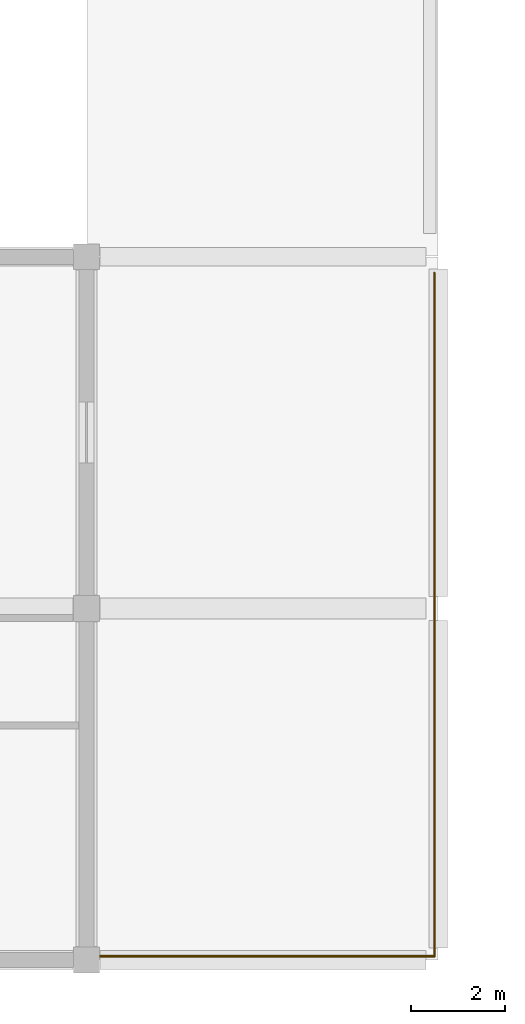
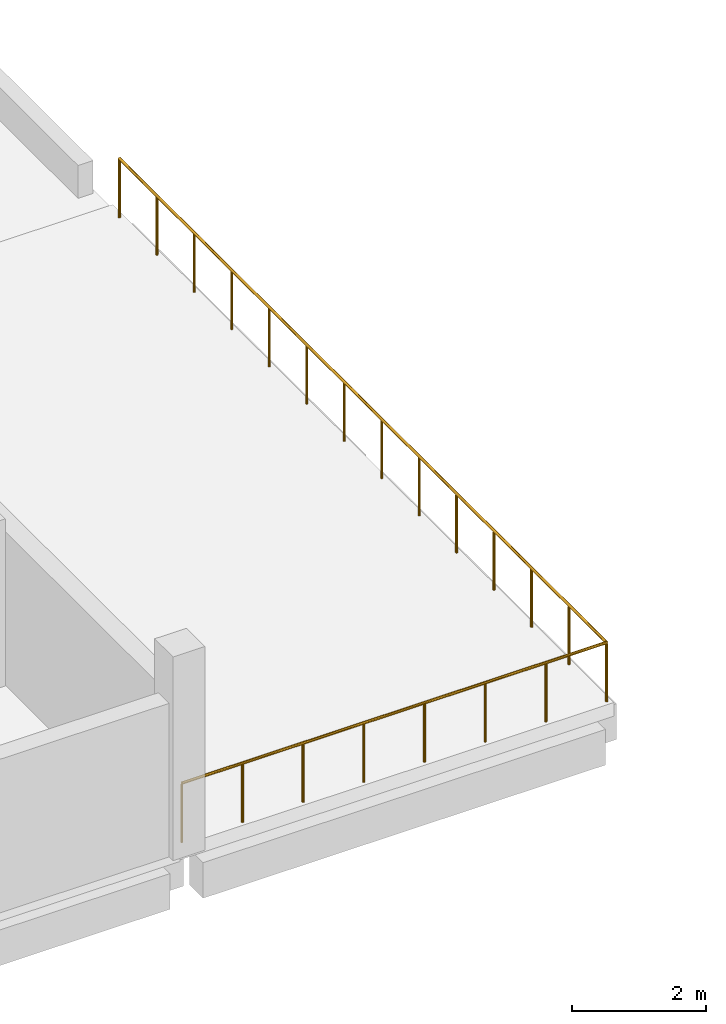
# One storey, part 13 of 14: 2 railings.
"""IFC4 building model written with IfcOpenShell, lengths in metres."""

from ifc_helpers import new_model, si_unit, direction, frame, origin, origin_2d, place, context, subcontext, project, spatial, circle, extrude, material, type_object, element, save


model = new_model("IFC4")

# Units and contexts
model_context = context("Model", 3, precision=1e-05, world=origin(), true_north=direction((0.0, 1.0)))
body_context = subcontext(model_context, "Body", "Model", "MODEL_VIEW")
ifc_project = project(units=[si_unit("LENGTHUNIT", "METRE"), si_unit("AREAUNIT", "SQUARE_METRE"), si_unit("VOLUMEUNIT", "CUBIC_METRE"), si_unit("PLANEANGLEUNIT", "RADIAN"), si_unit("MASSUNIT", "GRAM", prefix="KILO")], contexts=[model_context])

# Site, building, storey
site_placement = place(None, origin())
site = spatial("IfcSite", under=ifc_project, at=site_placement, CompositionType="ELEMENT")
building_placement = place(site_placement, origin())
building = spatial("IfcBuilding", under=site, at=building_placement, Name="Mawjan Specialist Oncology Clinic", CompositionType="ELEMENT")
storey_placement = place(building_placement, frame((0.0, 0.0, 17.5)))
storey = spatial("IfcBuildingStorey", under=building, at=storey_placement, Name="L04", CompositionType="ELEMENT", Elevation=17.5)

# Railings
ifc_material = material(Name="Laminated glass and stainless-steel balustrade", Category="steel")
railing_type = type_object("IfcRailingType", Name="BL-110", PredefinedType="BALUSTRADE", material=ifc_material)
railing_1_placement = place(storey_placement, frame((37.419921875, 15.4599609375, 0.0)))
element("IfcRailing", 1, at=railing_1_placement, inside=storey, type_object=railing_type, Name="L04 Terrace Edge Balustrade 7", PredefinedType="BALUSTRADE", context=body_context, shape_type="SweptSolid", body=[
    extrude(circle(Radius=0.02392578125, at=origin_2d()), frame((0.0, 0.0, 1.076171875), z_axis=(0.0, -1.0, 0.0), x_axis=(1.0, 0.0, 0.0)), (0.0, 0.0, 1.0), 14.580078125),
    extrude(circle(Radius=0.02099609375, at=origin_2d()), origin(), (0.0, 0.0, 1.0), 1.052001953125),
    extrude(circle(Radius=0.02099609375, at=origin_2d()), frame((0.0, -1.12158203125, 0.0)), (0.0, 0.0, 1.0), 1.052001953125),
    extrude(circle(Radius=0.02099609375, at=origin_2d()), frame((0.0, -2.2431640625, 0.0)), (0.0, 0.0, 1.0), 1.052001953125),
    extrude(circle(Radius=0.02099609375, at=origin_2d()), frame((0.0, -3.36474609375, 0.0)), (0.0, 0.0, 1.0), 1.052001953125),
    extrude(circle(Radius=0.02099609375, at=origin_2d()), frame((0.0, -4.486083984375, 0.0)), (0.0, 0.0, 1.0), 1.052001953125),
    extrude(circle(Radius=0.02099609375, at=origin_2d()), frame((0.0, -5.607666015625, 0.0)), (0.0, 0.0, 1.0), 1.052001953125),
    extrude(circle(Radius=0.02099609375, at=origin_2d()), frame((0.0, -6.729248046875, 0.0)), (0.0, 0.0, 1.0), 1.052001953125),
    extrude(circle(Radius=0.02099609375, at=origin_2d()), frame((0.0, -7.850830078125, 0.0)), (0.0, 0.0, 1.0), 1.052001953125),
    extrude(circle(Radius=0.02099609375, at=origin_2d()), frame((0.0, -8.972412109375, 0.0)), (0.0, 0.0, 1.0), 1.052001953125),
    extrude(circle(Radius=0.02099609375, at=origin_2d()), frame((0.0, -10.093994140625, 0.0)), (0.0, 0.0, 1.0), 1.052001953125),
    extrude(circle(Radius=0.02099609375, at=origin_2d()), frame((0.0, -11.21533203125, 0.0)), (0.0, 0.0, 1.0), 1.052001953125),
    extrude(circle(Radius=0.02099609375, at=origin_2d()), frame((0.0, -12.3369140625, 0.0)), (0.0, 0.0, 1.0), 1.052001953125),
    extrude(circle(Radius=0.02099609375, at=origin_2d()), frame((0.0, -13.45849609375, 0.0)), (0.0, 0.0, 1.0), 1.052001953125),
    extrude(circle(Radius=0.02099609375, at=origin_2d()), frame((0.0, -14.580078125, 0.0)), (0.0, 0.0, 1.0), 1.052001953125),
])
railing_2_placement = place(storey_placement, frame((37.419921875, 0.8798828125, 0.0)))
element("IfcRailing", 2, at=railing_2_placement, inside=storey, type_object=railing_type, Name="L04 Terrace Edge Balustrade 8", PredefinedType="BALUSTRADE", context=body_context, shape_type="SweptSolid", body=[
    extrude(circle(Radius=0.02392578125, at=origin_2d()), frame((0.0, 0.0, 1.076171875), z_axis=(-1.0, 0.0, 0.0), x_axis=(0.0, -1.0, 0.0)), (0.0, 0.0, 1.0), 7.33984375),
    extrude(circle(Radius=0.02099609375, at=origin_2d()), origin(), (0.0, 0.0, 1.0), 1.052001953125),
    extrude(circle(Radius=0.02099609375, at=origin_2d()), frame((-1.048583984375, 0.0, 0.0)), (0.0, 0.0, 1.0), 1.052001953125),
    extrude(circle(Radius=0.02099609375, at=origin_2d()), frame((-2.09716796875, 0.0, 0.0)), (0.0, 0.0, 1.0), 1.052001953125),
    extrude(circle(Radius=0.02099609375, at=origin_2d()), frame((-3.145751953125, 0.0, 0.0)), (0.0, 0.0, 1.0), 1.052001953125),
    extrude(circle(Radius=0.02099609375, at=origin_2d()), frame((-4.194091796875, 0.0, 0.0)), (0.0, 0.0, 1.0), 1.052001953125),
    extrude(circle(Radius=0.02099609375, at=origin_2d()), frame((-5.24267578125, 0.0, 0.0)), (0.0, 0.0, 1.0), 1.052001953125),
    extrude(circle(Radius=0.02099609375, at=origin_2d()), frame((-6.291259765625, 0.0, 0.0)), (0.0, 0.0, 1.0), 1.052001953125),
    extrude(circle(Radius=0.02099609375, at=origin_2d()), frame((-7.33984375, 0.0, 0.0)), (0.0, 0.0, 1.0), 1.052001953125),
])

save(model, "model.ifc")
